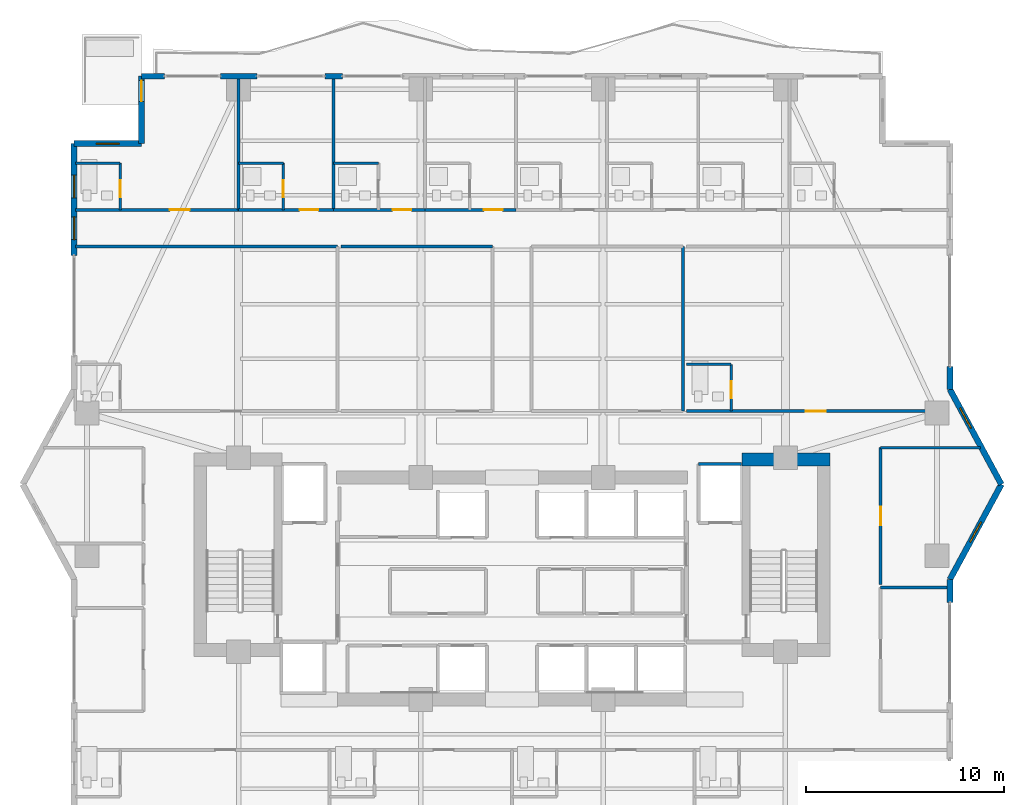
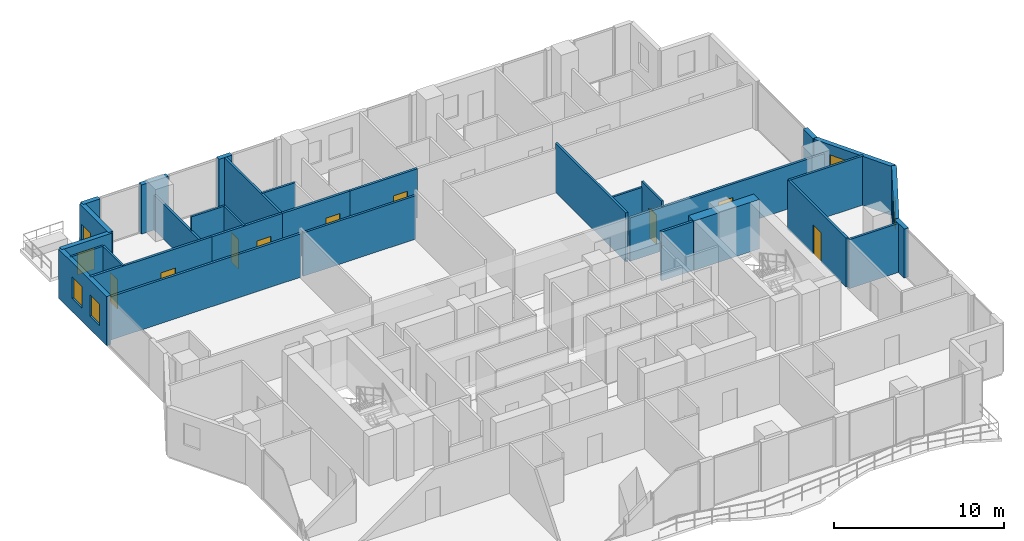
# One storey, part 27 of 33: 32 walls, 10 doors, 5 windows, 15 openings.
"""IFC4 building model written with IfcOpenShell, lengths in metres."""

from ifc_helpers import new_model, si_unit, direction, frame, frame_2d, origin, place, context, subcontext, project, spatial, rectangle, extrude, material, layer, layer_set, type_object, element, fill, save


model = new_model("IFC4")

# Units and contexts
model_context = context("Model", 3, precision=1e-05, world=origin(), true_north=direction((0.0, 1.0)))
body_context = subcontext(model_context, "Body", "Model", "MODEL_VIEW")
ifc_project = project(units=[si_unit("LENGTHUNIT", "METRE"), si_unit("AREAUNIT", "SQUARE_METRE"), si_unit("VOLUMEUNIT", "CUBIC_METRE"), si_unit("PLANEANGLEUNIT", "RADIAN"), si_unit("MASSUNIT", "GRAM", prefix="KILO")], contexts=[model_context])

# Site, building, storey
site_placement = place(None, origin())
site = spatial("IfcSite", under=ifc_project, at=site_placement, CompositionType="ELEMENT")
building_placement = place(site_placement, origin())
building = spatial("IfcBuilding", under=site, at=building_placement, Name="Zuhayl Quay Hotel", CompositionType="ELEMENT")
storey_placement = place(building_placement, frame((0.0, 0.0, 222.39990234375)))
storey = spatial("IfcBuildingStorey", under=building, at=storey_placement, Name="L56", CompositionType="ELEMENT", Elevation=222.39990234375)

# Wall
ifc_material_1 = material(Name="Concrete C50/60", Category="concrete")
ifc_layer_1 = layer(ifc_material_1, 0.64990234375, Name="Concrete C50/60", Category="concrete")
ifc_layer_set_1 = layer_set([ifc_layer_1], Name="Concrete C50/60")
wall_type_1 = type_object("IfcWallType", Name="WL_CORE_650", PredefinedType="SHEAR", material=ifc_layer_set_1)
wall_1_placement = place(storey_placement, frame((11.60009765625, 14.2548828125, 0.0), z_axis=(0.0, 0.0, 1.0), x_axis=(1.0, 0.0, 0.0)))
element("IfcWall", 1, at=wall_1_placement, inside=storey, type_object=wall_type_1, Name="L56 Core Shear Wall CW_NE", PredefinedType="SHEAR", context=body_context, shape_type="SweptSolid", body=[
    extrude(rectangle(XDim=4.4599609375, YDim=0.64990234375, at=frame_2d((2.22998046875, 0.0))), origin(), (0.0, 0.0, 1.0), 3.56005859375),
])

# Wall, openings, windows
ifc_material_2 = material(Name="Precast concrete C45/55", Category="concrete")
ifc_layer_2 = layer(ifc_material_2, 0.300048828125, Name="Precast concrete C45/55", Category="concrete")
ifc_layer_set_2 = layer_set([ifc_layer_2], Name="Precast concrete C45/55")
wall_type_2 = type_object("IfcWallType", Name="WL_EXT_300", PredefinedType="STANDARD", material=ifc_layer_set_2)
wall_2_placement = place(storey_placement, frame((-22.10009765625, 24.550048828125, 0.0), z_axis=(0.0, 0.0, 1.0), x_axis=(0.0, 1.0, 0.0)))
wall_2 = element("IfcWall", 2, at=wall_2_placement, inside=storey, type_object=wall_type_2, Name="L56 Exterior Precast Wall ENV_L56_E05_EW2", PredefinedType="STANDARD", context=body_context, shape_type="SweptSolid", body=[
    extrude(rectangle(XDim=5.64990234375, YDim=0.300048828125, at=frame_2d((2.824951171875, 0.0))), origin(), (0.0, 0.0, 1.0), 3.530029296875),
])
opening_1_placement = place(wall_2_placement, frame((0.800048828125, 0.0, 0.949951171875)))
opening_1 = element("IfcOpeningElement", 3, at=opening_1_placement, cuts=wall_2, Name="Opening W01N", PredefinedType="OPENING", context=body_context, shape_type="SweptSolid", body=[
    extrude(rectangle(XDim=1.14990234375, YDim=1.550048828125, at=frame_2d((0.574951171875, 0.77490234375))), frame((0.0, 0.159912109375, 0.0), z_axis=(0.0, -1.0, 0.0), x_axis=(1.0, 0.0, 0.0)), (0.0, 0.0, 1.0), 0.320068359375),
])
opening_2_placement = place(wall_2_placement, frame((2.905029296875, 0.0, 0.949951171875)))
opening_2 = element("IfcOpeningElement", 4, at=opening_2_placement, cuts=wall_2, Name="Opening W01N", PredefinedType="OPENING", context=body_context, shape_type="SweptSolid", body=[
    extrude(rectangle(XDim=1.14990234375, YDim=1.550048828125, at=frame_2d((0.574951171875, 0.77490234375))), frame((0.0, 0.159912109375, 0.0), z_axis=(0.0, -1.0, 0.0), x_axis=(1.0, 0.0, 0.0)), (0.0, 0.0, 1.0), 0.320068359375),
])
ifc_material_3 = material(Name="Dark Ceramic-Fritted Solar Glass", Category="glass")
window_type = type_object("IfcWindowType", Name="WN_NOTCH_1350", PartitioningType="SINGLE_PANEL", PredefinedType="WINDOW", material=ifc_material_3)
window_1_placement = place(opening_1_placement, origin())
window_1 = element("IfcWindow", 5, at=window_1_placement, inside=storey, type_object=window_type, Name="L56 Operable Facade Window 2-1", OverallHeight=1.550048828125, OverallWidth=1.14990234375, PartitioningType="SINGLE_PANEL", PredefinedType="WINDOW", context=body_context, shape_type="SweptSolid", body=[
    extrude(rectangle(XDim=1.14990234375, YDim=1.550048828125, at=frame_2d((0.574951171875, 0.77490234375))), frame((0.0, 0.030029296875, 0.0), z_axis=(0.0, -1.0, 0.0), x_axis=(1.0, 0.0, 0.0)), (0.0, 0.0, 1.0), 0.06005859375),
])
fill(opening_1, window_1)
window_2_placement = place(opening_2_placement, origin())
window_2 = element("IfcWindow", 6, at=window_2_placement, inside=storey, type_object=window_type, Name="L56 Operable Facade Window 2-2", OverallHeight=1.550048828125, OverallWidth=1.14990234375, PartitioningType="SINGLE_PANEL", PredefinedType="WINDOW", context=body_context, shape_type="SweptSolid", body=[
    extrude(rectangle(XDim=1.14990234375, YDim=1.550048828125, at=frame_2d((0.574951171875, 0.77490234375))), frame((0.0, 0.030029296875, 0.0), z_axis=(0.0, -1.0, 0.0), x_axis=(1.0, 0.0, 0.0)), (0.0, 0.0, 1.0), 0.06005859375),
])
fill(opening_2, window_2)

# Wall, opening, window
wall_3_placement = place(storey_placement, frame((-22.10009765625, 30.199951171875, 0.0), z_axis=(0.0, 0.0, 1.0), x_axis=(1.0, 0.0, 0.0)))
wall_3 = element("IfcWall", 7, at=wall_3_placement, inside=storey, type_object=wall_type_2, Name="L56 Exterior Precast Wall ENV_L56_EW06", PredefinedType="STANDARD", context=body_context, shape_type="SweptSolid", body=[
    extrude(rectangle(XDim=3.400146484375, YDim=0.300048828125, at=frame_2d((1.7001953125, 0.0))), origin(), (0.0, 0.0, 1.0), 3.530029296875),
])
opening_3_placement = place(wall_3_placement, frame((1.125, 0.0, 1.25)))
opening_3 = element("IfcOpeningElement", 8, at=opening_3_placement, cuts=wall_3, Name="Opening W01N", PredefinedType="OPENING", context=body_context, shape_type="SweptSolid", body=[
    extrude(rectangle(XDim=1.14990234375, YDim=1.550048828125, at=frame_2d((0.574951171875, 0.77490234375))), frame((0.0, 0.159912109375, 0.0), z_axis=(0.0, -1.0, 0.0), x_axis=(1.0, 0.0, 0.0)), (0.0, 0.0, 1.0), 0.320068359375),
])
window_3_placement = place(opening_3_placement, origin())
window_3 = element("IfcWindow", 9, at=window_3_placement, inside=storey, type_object=window_type, Name="L56 Corner Notch Window 6", OverallHeight=1.550048828125, OverallWidth=1.14990234375, PartitioningType="SINGLE_PANEL", PredefinedType="WINDOW", context=body_context, shape_type="SweptSolid", body=[
    extrude(rectangle(XDim=1.14990234375, YDim=1.550048828125, at=frame_2d((0.574951171875, 0.77490234375))), frame((0.0, 0.030029296875, 0.0), z_axis=(0.0, -1.0, 0.0), x_axis=(1.0, 0.0, 0.0)), (0.0, 0.0, 1.0), 0.06005859375),
])
fill(opening_3, window_3)

# Wall, opening, door
wall_4_placement = place(storey_placement, frame((-18.699951171875, 30.199951171875, 0.0), z_axis=(0.0, 0.0, 1.0), x_axis=(0.0, 1.0, 0.0)))
wall_4 = element("IfcWall", 10, at=wall_4_placement, inside=storey, type_object=wall_type_2, Name="L56 Exterior Precast Wall ENV_L56_SP_NW", PredefinedType="STANDARD", context=body_context, shape_type="SweptSolid", body=[
    extrude(rectangle(XDim=3.400146484375, YDim=0.300048828125, at=frame_2d((1.7001953125, 0.0))), origin(), (0.0, 0.0, 1.0), 3.530029296875),
])
opening_4_placement = place(wall_4_placement, frame((2.1298828125, 0.0, 0.0)))
opening_4 = element("IfcOpeningElement", 11, at=opening_4_placement, cuts=wall_4, Name="Opening DG1", PredefinedType="OPENING", context=body_context, shape_type="SweptSolid", body=[
    extrude(rectangle(XDim=1.050048828125, YDim=2.199951171875, at=frame_2d((0.52490234375, 1.10009765625))), frame((0.0, 0.159912109375, 0.0), z_axis=(0.0, -1.0, 0.0), x_axis=(1.0, 0.0, 0.0)), (0.0, 0.0, 1.0), 0.320068359375),
])
ifc_material_4 = material(Name="Anodised Aluminium and Dark Solar Glass", Category="aluminium")
door_type_1 = type_object("IfcDoorType", Name="DR_EXT_TERR_1050", OperationType="NOTDEFINED", PredefinedType="DOOR", material=ifc_material_4)
door_1_placement = place(opening_4_placement, origin())
door_1 = element("IfcDoor", 12, at=door_1_placement, inside=storey, type_object=door_type_1, Name="L56 Spiral Sky-Terrace NW Access Door", OperationType="SINGLE_SWING_LEFT", OverallHeight=2.199951171875, OverallWidth=1.050048828125, PredefinedType="DOOR", context=body_context, shape_type="SweptSolid", body=[
    extrude(rectangle(XDim=1.050048828125, YDim=2.199951171875, at=frame_2d((0.52490234375, 1.10009765625))), frame((0.0, 0.02490234375, 0.0), z_axis=(0.0, -1.0, 0.0), x_axis=(1.0, 0.0, 0.0)), (0.0, 0.0, 1.0), 0.050048828125),
])
fill(opening_4, door_1)

# Walls
wall_5_placement = place(storey_placement, frame((-18.699951171875, 33.60009765625, 0.0), z_axis=(0.0, 0.0, 1.0), x_axis=(1.0, 0.0, 0.0)))
element("IfcWall", 13, at=wall_5_placement, inside=storey, type_object=wall_type_2, Name="L56 Exterior Precast Wall ENV_L56_N_EW1", PredefinedType="STANDARD", context=body_context, shape_type="SweptSolid", body=[
    extrude(rectangle(XDim=1.14990234375, YDim=0.300048828125, at=frame_2d((0.574951171875, 0.0))), origin(), (0.0, 0.0, 1.0), 3.530029296875),
])
wall_6_placement = place(storey_placement, frame((-14.719970703125, 33.60009765625, 0.0), z_axis=(0.0, 0.0, 1.0), x_axis=(1.0, 0.0, 0.0)))
element("IfcWall", 14, at=wall_6_placement, inside=storey, type_object=wall_type_2, Name="L56 Exterior Precast Wall ENV_L56_N_EW2", PredefinedType="STANDARD", context=body_context, shape_type="SweptSolid", body=[
    extrude(rectangle(XDim=1.840087890625, YDim=0.300048828125, at=frame_2d((0.919921875, 0.0))), origin(), (0.0, 0.0, 1.0), 3.530029296875),
])
wall_7_placement = place(storey_placement, frame((-9.449951171875, 33.60009765625, 0.0), z_axis=(0.0, 0.0, 1.0), x_axis=(1.0, 0.0, 0.0)))
element("IfcWall", 15, at=wall_7_placement, inside=storey, type_object=wall_type_2, Name="L56 Exterior Precast Wall ENV_L56_N_EW3", PredefinedType="STANDARD", context=body_context, shape_type="SweptSolid", body=[
    extrude(rectangle(XDim=0.89990234375, YDim=0.300048828125, at=frame_2d((0.449951171875, 0.0))), origin(), (0.0, 0.0, 1.0), 3.530029296875),
])
wall_8_placement = place(storey_placement, frame((22.10009765625, 18.949951171875, 0.0), z_axis=(0.0, 0.0, 1.0), x_axis=(0.0, -1.0, 0.0)))
element("IfcWall", 16, at=wall_8_placement, inside=storey, type_object=wall_type_2, Name="L56 Exterior Precast Wall ENV_L56_E11_EW2", PredefinedType="STANDARD", context=body_context, shape_type="SweptSolid", body=[
    extrude(rectangle(XDim=1.14990234375, YDim=0.300048828125, at=frame_2d((0.574951171875, 0.0))), origin(), (0.0, 0.0, 1.0), 3.530029296875),
])

# Wall, opening, window
wall_9_placement = place(storey_placement, frame((22.10009765625, 17.800048828125, 0.0), z_axis=(0.0, 0.0, 1.0), x_axis=(0.476258655584, -0.879305233114, 0.0)))
wall_9 = element("IfcWall", 17, at=wall_9_placement, inside=storey, type_object=wall_type_2, Name="L56 Exterior Precast Wall ENV_L56_EW12", PredefinedType="STANDARD", context=body_context, shape_type="SweptSolid", body=[
    extrude(rectangle(XDim=5.458984375, YDim=0.300048828125, at=frame_2d((2.7294921875, 0.0))), origin(), (0.0, 0.0, 1.0), 3.530029296875),
])
opening_5_placement = place(wall_9_placement, frame((1.078125, 0.0, 1.25)))
opening_5 = element("IfcOpeningElement", 18, at=opening_5_placement, cuts=wall_9, Name="Opening W01N", PredefinedType="OPENING", context=body_context, shape_type="SweptSolid", body=[
    extrude(rectangle(XDim=1.14990234375, YDim=1.550048828125, at=frame_2d((0.574951171875, 0.77490234375))), frame((0.0, 0.159912109375, 0.0), z_axis=(0.0, -1.0, 0.0), x_axis=(1.0, 0.0, 0.0)), (0.0, 0.0, 1.0), 0.320068359375),
])
window_4_placement = place(opening_5_placement, origin())
window_4 = element("IfcWindow", 19, at=window_4_placement, inside=storey, type_object=window_type, Name="L56 Corner Notch Window 12", OverallHeight=1.550048828125, OverallWidth=1.14990234375, PartitioningType="SINGLE_PANEL", PredefinedType="WINDOW", context=body_context, shape_type="SweptSolid", body=[
    extrude(rectangle(XDim=1.14990234375, YDim=1.550048828125, at=frame_2d((0.574951171875, 0.77490234375))), frame((0.0, 0.030029296875, 0.0), z_axis=(0.0, -1.0, 0.0), x_axis=(1.0, 0.0, 0.0)), (0.0, 0.0, 1.0), 0.06005859375),
])
fill(opening_5, window_4)

wall_10_placement = place(storey_placement, frame((24.699951171875, 13.0, 0.0), z_axis=(0.0, 0.0, 1.0), x_axis=(-0.476258655584, -0.879305233114, 0.0)))
wall_10 = element("IfcWall", 20, at=wall_10_placement, inside=storey, type_object=wall_type_2, Name="L56 Exterior Precast Wall ENV_L56_EW13", PredefinedType="STANDARD", context=body_context, shape_type="SweptSolid", body=[
    extrude(rectangle(XDim=5.458984375, YDim=0.300048828125, at=frame_2d((2.7294921875, 0.0))), origin(), (0.0, 0.0, 1.0), 3.530029296875),
])
opening_6_placement = place(wall_10_placement, frame((2.154541015625, 0.0, 1.25)))
opening_6 = element("IfcOpeningElement", 21, at=opening_6_placement, cuts=wall_10, Name="Opening W01N", PredefinedType="OPENING", context=body_context, shape_type="SweptSolid", body=[
    extrude(rectangle(XDim=1.14990234375, YDim=1.550048828125, at=frame_2d((0.574951171875, 0.77490234375))), frame((0.0, 0.159912109375, 0.0), z_axis=(0.0, -1.0, 0.0), x_axis=(1.0, 0.0, 0.0)), (0.0, 0.0, 1.0), 0.320068359375),
])
window_5_placement = place(opening_6_placement, origin())
window_5 = element("IfcWindow", 22, at=window_5_placement, inside=storey, type_object=window_type, Name="L56 Corner Notch Window 13", OverallHeight=1.550048828125, OverallWidth=1.14990234375, PartitioningType="SINGLE_PANEL", PredefinedType="WINDOW", context=body_context, shape_type="SweptSolid", body=[
    extrude(rectangle(XDim=1.14990234375, YDim=1.550048828125, at=frame_2d((0.574951171875, 0.77490234375))), frame((0.0, 0.030029296875, 0.0), z_axis=(0.0, -1.0, 0.0), x_axis=(1.0, 0.0, 0.0)), (0.0, 0.0, 1.0), 0.06005859375),
])
fill(opening_6, window_5)

# Walls
wall_11_placement = place(storey_placement, frame((22.10009765625, 8.199951171875, 0.0), z_axis=(0.0, 0.0, 1.0), x_axis=(0.0, -1.0, 0.0)))
element("IfcWall", 23, at=wall_11_placement, inside=storey, type_object=wall_type_2, Name="L56 Exterior Precast Wall ENV_L56_E14_EW1", PredefinedType="STANDARD", context=body_context, shape_type="SweptSolid", body=[
    extrude(rectangle(XDim=1.14990234375, YDim=0.300048828125, at=frame_2d((0.574951171875, 0.0))), origin(), (0.0, 0.0, 1.0), 3.530029296875),
])
ifc_material_5 = material(Name="Acoustic Gypsum Partition STC-58")
ifc_layer_3 = layer(ifc_material_5, 0.14990234375, Name="Acoustic Gypsum Partition STC-58")
ifc_layer_set_3 = layer_set([ifc_layer_3], Name="Acoustic Gypsum Partition STC-58")
wall_type_3 = type_object("IfcWallType", Name="WL_PART_150", PredefinedType="PARTITIONING", material=ifc_layer_set_3)
wall_12_placement = place(storey_placement, frame((-13.800048828125, 26.85009765625, 0.0), z_axis=(0.0, 0.0, 1.0), x_axis=(0.0, 1.0, 0.0)))
element("IfcWall", 24, at=wall_12_placement, inside=storey, type_object=wall_type_3, Name="L56 Partition IW_L56_NU01_E", PredefinedType="PARTITIONING", context=body_context, shape_type="SweptSolid", body=[
    extrude(rectangle(XDim=6.669921875, YDim=0.14990234375, at=frame_2d((3.3349609375, 0.0))), origin(), (0.0, 0.0, 1.0), 2.51904296875),
])
wall_13_placement = place(storey_placement, frame((-9.0, 26.85009765625, 0.0), z_axis=(0.0, 0.0, 1.0), x_axis=(0.0, 1.0, 0.0)))
element("IfcWall", 25, at=wall_13_placement, inside=storey, type_object=wall_type_3, Name="L56 Partition IW_L56_NU02_E", PredefinedType="PARTITIONING", context=body_context, shape_type="SweptSolid", body=[
    extrude(rectangle(XDim=6.669921875, YDim=0.14990234375, at=frame_2d((3.3349609375, 0.0))), origin(), (0.0, 0.0, 1.0), 3.530029296875),
])
wall_14_placement = place(storey_placement, frame((-8.639892578125, 25.0, 0.0), z_axis=(0.0, 0.0, 1.0), x_axis=(1.0, 0.0, 0.0)))
element("IfcWall", 26, at=wall_14_placement, inside=storey, type_object=wall_type_3, Name="L56 Partition IW_L56_Z3_MID_W_N", PredefinedType="PARTITIONING", context=body_context, shape_type="SweptSolid", body=[
    extrude(rectangle(XDim=7.659912109375, YDim=0.14990234375, at=frame_2d((3.830078125, 0.0))), origin(), (0.0, 0.0, 1.0), 3.1240234375),
])
wall_15_placement = place(storey_placement, frame((8.639892578125, 16.699951171875, 0.0), z_axis=(0.0, 0.0, 1.0), x_axis=(0.0, 1.0, 0.0)))
element("IfcWall", 27, at=wall_15_placement, inside=storey, type_object=wall_type_3, Name="L56 Partition IW_L56_Z3_MID_E_E", PredefinedType="PARTITIONING", context=body_context, shape_type="SweptSolid", body=[
    extrude(rectangle(XDim=8.300048828125, YDim=0.14990234375, at=frame_2d((4.14990234375, 0.0))), origin(), (0.0, 0.0, 1.0), 3.530029296875),
])
wall_16_placement = place(storey_placement, frame((18.60009765625, 7.800048828125, 0.0), z_axis=(0.0, 0.0, 1.0), x_axis=(1.0, 0.0, 0.0)))
element("IfcWall", 28, at=wall_16_placement, inside=storey, type_object=wall_type_3, Name="L56 Partition IW_L56_HK_MAIN_N", PredefinedType="PARTITIONING", context=body_context, shape_type="SweptSolid", body=[
    extrude(rectangle(XDim=3.43994140625, YDim=0.14990234375, at=frame_2d((1.719970703125, 0.0))), origin(), (0.0, 0.0, 1.0), 3.530029296875),
])
wall_17_placement = place(storey_placement, frame((18.60009765625, 14.85009765625, 0.0), z_axis=(0.0, 0.0, 1.0), x_axis=(1.0, 0.0, 0.0)))
element("IfcWall", 29, at=wall_17_placement, inside=storey, type_object=wall_type_3, Name="L56 Partition IW_L56_EFLK_2_N", PredefinedType="PARTITIONING", context=body_context, shape_type="SweptSolid", body=[
    extrude(rectangle(XDim=5.037841796875, YDim=0.14990234375, at=frame_2d((2.51904296875, 0.0))), origin(), (0.0, 0.0, 1.0), 3.530029296875),
])

# Wall, opening, door
ifc_layer_4 = layer(ifc_material_5, 0.159912109375, Name="Acoustic Gypsum Partition STC-58")
ifc_layer_set_4 = layer_set([ifc_layer_4], Name="Acoustic Gypsum Partition STC-58")
wall_type_4 = type_object("IfcWallType", Name="WL_PART_CORR_160", PredefinedType="PARTITIONING", material=ifc_layer_set_4)
wall_18_placement = place(storey_placement, frame((-22.0400390625, 26.85009765625, 0.0), z_axis=(0.0, 0.0, 1.0), x_axis=(1.0, 0.0, 0.0)))
wall_18 = element("IfcWall", 30, at=wall_18_placement, inside=storey, type_object=wall_type_4, Name="L56 Partition IW_L56_NU01_COR", PredefinedType="PARTITIONING", context=body_context, shape_type="SweptSolid", body=[
    extrude(rectangle(XDim=8.239990234375, YDim=0.159912109375, at=frame_2d((4.1201171875, 0.0))), origin(), (0.0, 0.0, 1.0), 3.530029296875),
])
opening_7_placement = place(wall_18_placement, frame((4.77001953125, 0.0, 0.0)))
opening_7 = element("IfcOpeningElement", 31, at=opening_7_placement, cuts=wall_18, Name="Opening D03L", PredefinedType="OPENING", context=body_context, shape_type="SweptSolid", body=[
    extrude(rectangle(XDim=1.0, YDim=2.14990234375, at=frame_2d((0.5, 1.074951171875))), frame((0.0, 0.08984375, 0.0), z_axis=(0.0, -1.0, 0.0), x_axis=(1.0, 0.0, 0.0)), (0.0, 0.0, 1.0), 0.179931640625),
])
ifc_material_6 = material(Name="Solid Walnut Acoustic Fire Door")
door_type_2 = type_object("IfcDoorType", Name="DR_SUITE_1000", OperationType="NOTDEFINED", PredefinedType="DOOR", material=ifc_material_6)
door_2_placement = place(opening_7_placement, origin())
door_2 = element("IfcDoor", 32, at=door_2_placement, inside=storey, type_object=door_type_2, Name="L56 Panoramic Gulf Guest Room L56-01 Entrance Door", OperationType="SINGLE_SWING_LEFT", OverallHeight=2.14990234375, OverallWidth=1.0, PredefinedType="DOOR", context=body_context, shape_type="SweptSolid", body=[
    extrude(rectangle(XDim=1.0, YDim=2.14990234375, at=frame_2d((0.5, 1.074951171875))), frame((0.0, 0.02490234375, 0.0), z_axis=(0.0, -1.0, 0.0), x_axis=(1.0, 0.0, 0.0)), (0.0, 0.0, 1.0), 0.050048828125),
])
fill(opening_7, door_2)

wall_19_placement = place(storey_placement, frame((-13.800048828125, 26.85009765625, 0.0), z_axis=(0.0, 0.0, 1.0), x_axis=(1.0, 0.0, 0.0)))
wall_19 = element("IfcWall", 33, at=wall_19_placement, inside=storey, type_object=wall_type_4, Name="L56 Partition IW_L56_NU02_COR", PredefinedType="PARTITIONING", context=body_context, shape_type="SweptSolid", body=[
    extrude(rectangle(XDim=4.800048828125, YDim=0.159912109375, at=frame_2d((2.39990234375, 0.0))), origin(), (0.0, 0.0, 1.0), 3.530029296875),
])
opening_8_placement = place(wall_19_placement, frame((3.074951171875, 0.0, 0.0)))
opening_8 = element("IfcOpeningElement", 34, at=opening_8_placement, cuts=wall_19, Name="Opening D03", PredefinedType="OPENING", context=body_context, shape_type="SweptSolid", body=[
    extrude(rectangle(XDim=0.949951171875, YDim=2.14990234375, at=frame_2d((0.47509765625, 1.074951171875))), frame((0.0, 0.08984375, 0.0), z_axis=(0.0, -1.0, 0.0), x_axis=(1.0, 0.0, 0.0)), (0.0, 0.0, 1.0), 0.179931640625),
])
door_type_3 = type_object("IfcDoorType", Name="DR_SUITE_950", OperationType="NOTDEFINED", PredefinedType="DOOR", material=ifc_material_6)
door_3_placement = place(opening_8_placement, origin())
door_3 = element("IfcDoor", 35, at=door_3_placement, inside=storey, type_object=door_type_3, Name="L56 Panoramic Gulf Guest Room L56-02 Entrance Door", OperationType="SINGLE_SWING_LEFT", OverallHeight=2.14990234375, OverallWidth=0.949951171875, PredefinedType="DOOR", context=body_context, shape_type="SweptSolid", body=[
    extrude(rectangle(XDim=0.949951171875, YDim=2.14990234375, at=frame_2d((0.47509765625, 1.074951171875))), frame((0.0, 0.02490234375, 0.0), z_axis=(0.0, -1.0, 0.0), x_axis=(1.0, 0.0, 0.0)), (0.0, 0.0, 1.0), 0.050048828125),
])
fill(opening_8, door_3)

wall_20_placement = place(storey_placement, frame((-9.0, 26.85009765625, 0.0), z_axis=(0.0, 0.0, 1.0), x_axis=(1.0, 0.0, 0.0)))
wall_20 = element("IfcWall", 36, at=wall_20_placement, inside=storey, type_object=wall_type_4, Name="L56 Partition IW_L56_NU03_COR", PredefinedType="PARTITIONING", context=body_context, shape_type="SweptSolid", body=[
    extrude(rectangle(XDim=4.60009765625, YDim=0.159912109375, at=frame_2d((2.300048828125, 0.0))), origin(), (0.0, 0.0, 1.0), 3.530029296875),
])
opening_9_placement = place(wall_20_placement, frame((2.97509765625, 0.0, 0.0)))
opening_9 = element("IfcOpeningElement", 37, at=opening_9_placement, cuts=wall_20, Name="Opening D03", PredefinedType="OPENING", context=body_context, shape_type="SweptSolid", body=[
    extrude(rectangle(XDim=0.949951171875, YDim=2.14990234375, at=frame_2d((0.47509765625, 1.074951171875))), frame((0.0, 0.08984375, 0.0), z_axis=(0.0, -1.0, 0.0), x_axis=(1.0, 0.0, 0.0)), (0.0, 0.0, 1.0), 0.179931640625),
])
door_4_placement = place(opening_9_placement, origin())
door_4 = element("IfcDoor", 38, at=door_4_placement, inside=storey, type_object=door_type_3, Name="L56 Panoramic Gulf Guest Room L56-03 Entrance Door", OperationType="SINGLE_SWING_LEFT", OverallHeight=2.14990234375, OverallWidth=0.949951171875, PredefinedType="DOOR", context=body_context, shape_type="SweptSolid", body=[
    extrude(rectangle(XDim=0.949951171875, YDim=2.14990234375, at=frame_2d((0.47509765625, 1.074951171875))), frame((0.0, 0.02490234375, 0.0), z_axis=(0.0, -1.0, 0.0), x_axis=(1.0, 0.0, 0.0)), (0.0, 0.0, 1.0), 0.050048828125),
])
fill(opening_9, door_4)

wall_21_placement = place(storey_placement, frame((-4.39990234375, 26.85009765625, 0.0), z_axis=(0.0, 0.0, 1.0), x_axis=(1.0, 0.0, 0.0)))
wall_21 = element("IfcWall", 39, at=wall_21_placement, inside=storey, type_object=wall_type_4, Name="L56 Partition IW_L56_NU04_COR", PredefinedType="PARTITIONING", context=body_context, shape_type="SweptSolid", body=[
    extrude(rectangle(XDim=4.599853515625, YDim=0.159912109375, at=frame_2d((2.2998046875, 0.0))), origin(), (0.0, 0.0, 1.0), 3.530029296875),
])
opening_10_placement = place(wall_21_placement, frame((2.97509765625, 0.0, 0.0)))
opening_10 = element("IfcOpeningElement", 40, at=opening_10_placement, cuts=wall_21, Name="Opening D03", PredefinedType="OPENING", context=body_context, shape_type="SweptSolid", body=[
    extrude(rectangle(XDim=0.949951171875, YDim=2.14990234375, at=frame_2d((0.47509765625, 1.074951171875))), frame((0.0, 0.08984375, 0.0), z_axis=(0.0, -1.0, 0.0), x_axis=(1.0, 0.0, 0.0)), (0.0, 0.0, 1.0), 0.179931640625),
])
door_5_placement = place(opening_10_placement, origin())
door_5 = element("IfcDoor", 41, at=door_5_placement, inside=storey, type_object=door_type_3, Name="L56 Panoramic Gulf Guest Room L56-04 Entrance Door", OperationType="SINGLE_SWING_LEFT", OverallHeight=2.14990234375, OverallWidth=0.949951171875, PredefinedType="DOOR", context=body_context, shape_type="SweptSolid", body=[
    extrude(rectangle(XDim=0.949951171875, YDim=2.14990234375, at=frame_2d((0.47509765625, 1.074951171875))), frame((0.0, 0.02490234375, 0.0), z_axis=(0.0, -1.0, 0.0), x_axis=(1.0, 0.0, 0.0)), (0.0, 0.0, 1.0), 0.050048828125),
])
fill(opening_10, door_5)

wall_22_placement = place(storey_placement, frame((8.800048828125, 16.699951171875, 0.0), z_axis=(0.0, 0.0, 1.0), x_axis=(1.0, 0.0, 0.0)))
wall_22 = element("IfcWall", 42, at=wall_22_placement, inside=storey, type_object=wall_type_4, Name="L56 Partition IW_L56_MU04_COR", PredefinedType="PARTITIONING", context=body_context, shape_type="SweptSolid", body=[
    extrude(rectangle(XDim=13.239990234375, YDim=0.159912109375, at=frame_2d((6.6201171875, 0.0))), origin(), (0.0, 0.0, 1.0), 3.1240234375),
])
opening_11_placement = place(wall_22_placement, frame((6.02490234375, 0.0, 0.0)))
opening_11 = element("IfcOpeningElement", 43, at=opening_11_placement, cuts=wall_22, Name="Opening D03L", PredefinedType="OPENING", context=body_context, shape_type="SweptSolid", body=[
    extrude(rectangle(XDim=1.0, YDim=2.14990234375, at=frame_2d((0.5, 1.074951171875))), frame((0.0, 0.08984375, 0.0), z_axis=(0.0, -1.0, 0.0), x_axis=(1.0, 0.0, 0.0)), (0.0, 0.0, 1.0), 0.179931640625),
])
door_6_placement = place(opening_11_placement, origin())
door_6 = element("IfcDoor", 44, at=door_6_placement, inside=storey, type_object=door_type_2, Name="L56 Club Junior Suite L56-M4 Entrance Door", OperationType="SINGLE_SWING_LEFT", OverallHeight=2.14990234375, OverallWidth=1.0, PredefinedType="DOOR", context=body_context, shape_type="SweptSolid", body=[
    extrude(rectangle(XDim=1.0, YDim=2.14990234375, at=frame_2d((0.5, 1.074951171875))), frame((0.0, 0.02490234375, 0.0), z_axis=(0.0, -1.0, 0.0), x_axis=(1.0, 0.0, 0.0)), (0.0, 0.0, 1.0), 0.050048828125),
])
fill(opening_11, door_6)

wall_23_placement = place(storey_placement, frame((18.60009765625, 7.9599609375, 0.0), z_axis=(0.0, 0.0, 1.0), x_axis=(0.0, 1.0, 0.0)))
wall_23 = element("IfcWall", 45, at=wall_23_placement, inside=storey, type_object=wall_type_4, Name="L56 Partition IW_L56_EFLK_2_W", PredefinedType="PARTITIONING", context=body_context, shape_type="SweptSolid", body=[
    extrude(rectangle(XDim=6.89013671875, YDim=0.159912109375, at=frame_2d((3.445068359375, 0.0))), origin(), (0.0, 0.0, 1.0), 3.530029296875),
])
opening_12_placement = place(wall_23_placement, frame((2.985107421875, 0.0, 0.0)))
opening_12 = element("IfcOpeningElement", 46, at=opening_12_placement, cuts=wall_23, Name="Opening D05", PredefinedType="OPENING", context=body_context, shape_type="SweptSolid", body=[
    extrude(rectangle(XDim=0.919921875, YDim=2.1201171875, at=frame_2d((0.4599609375, 1.06005859375))), frame((0.0, 0.08984375, 0.0), z_axis=(0.0, -1.0, 0.0), x_axis=(1.0, 0.0, 0.0)), (0.0, 0.0, 1.0), 0.179931640625),
])
door_type_4 = type_object("IfcDoorType", Name="DR_INT_950", OperationType="NOTDEFINED", PredefinedType="DOOR", material=ifc_material_6)
door_7_placement = place(opening_12_placement, origin())
door_7 = element("IfcDoor", 47, at=door_7_placement, inside=storey, type_object=door_type_4, Name="L56 Floor Beverage and Ice Pantry Door", OperationType="SINGLE_SWING_LEFT", OverallHeight=2.1201171875, OverallWidth=0.919921875, PredefinedType="DOOR", context=body_context, shape_type="SweptSolid", body=[
    extrude(rectangle(XDim=0.919921875, YDim=2.1201171875, at=frame_2d((0.4599609375, 1.06005859375))), frame((0.0, 0.02490234375, 0.0), z_axis=(0.0, -1.0, 0.0), x_axis=(1.0, 0.0, 0.0)), (0.0, 0.0, 1.0), 0.050048828125),
])
fill(opening_12, door_7)

# Wall
wall_24_placement = place(storey_placement, frame((-22.0400390625, 25.0, 0.0), z_axis=(0.0, 0.0, 1.0), x_axis=(1.0, 0.0, 0.0)))
element("IfcWall", 48, at=wall_24_placement, inside=storey, type_object=wall_type_4, Name="L56 Partition IW_L56_MU01_BK", PredefinedType="PARTITIONING", context=body_context, shape_type="SweptSolid", body=[
    extrude(rectangle(XDim=13.239990234375, YDim=0.159912109375, at=frame_2d((6.6201171875, 0.0))), origin(), (0.0, 0.0, 1.0), 3.1240234375),
])

# Wall, opening, door
ifc_material_7 = material(Name="Moisture-Resistant Sanitarychase Gypsum")
ifc_layer_5 = layer(ifc_material_7, 0.135009765625, Name="Moisture-Resistant Sanitarychase Gypsum")
ifc_layer_set_5 = layer_set([ifc_layer_5], Name="Moisture-Resistant Sanitarychase Gypsum")
wall_type_5 = type_object("IfcWallType", Name="WL_PART_PLUMB_150", PredefinedType="PLUMBINGWALL", material=ifc_layer_set_5)
wall_25_placement = place(storey_placement, frame((-19.780029296875, 26.85009765625, 0.0), z_axis=(0.0, 0.0, 1.0), x_axis=(0.0, 1.0, 0.0)))
wall_25 = element("IfcWall", 49, at=wall_25_placement, inside=storey, type_object=wall_type_5, Name="L56 Partition IW_L56_NU01_BE", PredefinedType="PLUMBINGWALL", context=body_context, shape_type="SweptSolid", body=[
    extrude(rectangle(XDim=2.35986328125, YDim=0.135009765625, at=frame_2d((1.179931640625, 0.0))), origin(), (0.0, 0.0, 1.0), 3.530029296875),
])
opening_13_placement = place(wall_25_placement, frame((0.64990234375, 0.0, 0.0)))
opening_13 = element("IfcOpeningElement", 50, at=opening_13_placement, cuts=wall_25, Name="Opening D04", PredefinedType="OPENING", context=body_context, shape_type="SweptSolid", body=[
    extrude(rectangle(XDim=0.85009765625, YDim=2.10009765625, at=frame_2d((0.425048828125, 1.050048828125))), frame((0.0, 0.077392578125, 0.0), z_axis=(0.0, -1.0, 0.0), x_axis=(1.0, 0.0, 0.0)), (0.0, 0.0, 1.0), 0.155029296875),
])
ifc_material_8 = material(Name="Moisture-Resistant Walnut Veneer")
door_type_5 = type_object("IfcDoorType", Name="DR_BATH_850", OperationType="NOTDEFINED", PredefinedType="DOOR", material=ifc_material_8)
door_8_placement = place(opening_13_placement, origin())
door_8 = element("IfcDoor", 51, at=door_8_placement, inside=storey, type_object=door_type_5, Name="L56 Panoramic Gulf Guest Room L56-01 En-Suite Door", OperationType="SINGLE_SWING_RIGHT", OverallHeight=2.10009765625, OverallWidth=0.85009765625, PredefinedType="DOOR", context=body_context, shape_type="SweptSolid", body=[
    extrude(rectangle(XDim=0.85009765625, YDim=2.10009765625, at=frame_2d((0.425048828125, 1.050048828125))), frame((0.0, 0.02490234375, 0.0), z_axis=(0.0, -1.0, 0.0), x_axis=(1.0, 0.0, 0.0)), (0.0, 0.0, 1.0), 0.050048828125),
])
fill(opening_13, door_8)

wall_26_placement = place(storey_placement, frame((-11.5400390625, 26.85009765625, 0.0), z_axis=(0.0, 0.0, 1.0), x_axis=(0.0, 1.0, 0.0)))
wall_26 = element("IfcWall", 52, at=wall_26_placement, inside=storey, type_object=wall_type_5, Name="L56 Partition IW_L56_NU02_BE", PredefinedType="PLUMBINGWALL", context=body_context, shape_type="SweptSolid", body=[
    extrude(rectangle(XDim=2.35986328125, YDim=0.135009765625, at=frame_2d((1.179931640625, 0.0))), origin(), (0.0, 0.0, 1.0), 3.530029296875),
])
opening_14_placement = place(wall_26_placement, frame((0.64990234375, 0.0, 0.0)))
opening_14 = element("IfcOpeningElement", 53, at=opening_14_placement, cuts=wall_26, Name="Opening D04", PredefinedType="OPENING", context=body_context, shape_type="SweptSolid", body=[
    extrude(rectangle(XDim=0.85009765625, YDim=2.10009765625, at=frame_2d((0.425048828125, 1.050048828125))), frame((0.0, 0.077392578125, 0.0), z_axis=(0.0, -1.0, 0.0), x_axis=(1.0, 0.0, 0.0)), (0.0, 0.0, 1.0), 0.155029296875),
])
door_9_placement = place(opening_14_placement, origin())
door_9 = element("IfcDoor", 54, at=door_9_placement, inside=storey, type_object=door_type_5, Name="L56 Panoramic Gulf Guest Room L56-02 En-Suite Door", OperationType="SINGLE_SWING_RIGHT", OverallHeight=2.10009765625, OverallWidth=0.85009765625, PredefinedType="DOOR", context=body_context, shape_type="SweptSolid", body=[
    extrude(rectangle(XDim=0.85009765625, YDim=2.10009765625, at=frame_2d((0.425048828125, 1.050048828125))), frame((0.0, 0.02490234375, 0.0), z_axis=(0.0, -1.0, 0.0), x_axis=(1.0, 0.0, 0.0)), (0.0, 0.0, 1.0), 0.050048828125),
])
fill(opening_14, door_9)

wall_27_placement = place(storey_placement, frame((11.06005859375, 16.699951171875, 0.0), z_axis=(0.0, 0.0, 1.0), x_axis=(0.0, 1.0, 0.0)))
wall_27 = element("IfcWall", 55, at=wall_27_placement, inside=storey, type_object=wall_type_5, Name="L56 Partition IW_L56_MU04_BE", PredefinedType="PLUMBINGWALL", context=body_context, shape_type="SweptSolid", body=[
    extrude(rectangle(XDim=2.360107421875, YDim=0.135009765625, at=frame_2d((1.18017578125, 0.0))), origin(), (0.0, 0.0, 1.0), 3.530029296875),
])
opening_15_placement = place(wall_27_placement, frame((0.64990234375, 0.0, 0.0)))
opening_15 = element("IfcOpeningElement", 56, at=opening_15_placement, cuts=wall_27, Name="Opening D04", PredefinedType="OPENING", context=body_context, shape_type="SweptSolid", body=[
    extrude(rectangle(XDim=0.85009765625, YDim=2.10009765625, at=frame_2d((0.425048828125, 1.050048828125))), frame((0.0, 0.077392578125, 0.0), z_axis=(0.0, -1.0, 0.0), x_axis=(1.0, 0.0, 0.0)), (0.0, 0.0, 1.0), 0.155029296875),
])
door_10_placement = place(opening_15_placement, origin())
door_10 = element("IfcDoor", 57, at=door_10_placement, inside=storey, type_object=door_type_5, Name="L56 Club Junior Suite L56-M4 En-Suite Door", OperationType="SINGLE_SWING_RIGHT", OverallHeight=2.10009765625, OverallWidth=0.85009765625, PredefinedType="DOOR", context=body_context, shape_type="SweptSolid", body=[
    extrude(rectangle(XDim=0.85009765625, YDim=2.10009765625, at=frame_2d((0.425048828125, 1.050048828125))), frame((0.0, 0.02490234375, 0.0), z_axis=(0.0, -1.0, 0.0), x_axis=(1.0, 0.0, 0.0)), (0.0, 0.0, 1.0), 0.050048828125),
])
fill(opening_15, door_10)

# Walls
for number, where, z_axis, x_axis, name in (
    (58, (-22.0400390625, 29.2099609375, 0.0), (0.0, 0.0, 1.0), (1.0, 0.0, 0.0), "L56 Partition IW_L56_NU01_BN"),
    (59, (-13.800048828125, 29.2099609375, 0.0), (0.0, 0.0, 1.0), (1.0, 0.0, 0.0), "L56 Partition IW_L56_NU02_BN"),
    (60, (-9.0, 29.2099609375, 0.0), (0.0, 0.0, 1.0), (1.0, 0.0, 0.0), "L56 Partition IW_L56_NU03_BN"),
):
    element("IfcWall", number, at=place(storey_placement, frame(where, z_axis=z_axis, x_axis=x_axis)), inside=storey, type_object=wall_type_5, Name=name, PredefinedType="PLUMBINGWALL", context=body_context, shape_type="SweptSolid", body=[
        extrude(rectangle(XDim=2.260009765625, YDim=0.135009765625, at=frame_2d((1.1298828125, 0.0))), origin(), (0.0, 0.0, 1.0), 3.530029296875),
    ])
wall_28_placement = place(storey_placement, frame((8.800048828125, 19.06005859375, 0.0), z_axis=(0.0, 0.0, 1.0), x_axis=(1.0, 0.0, 0.0)))
element("IfcWall", 61, at=wall_28_placement, inside=storey, type_object=wall_type_5, Name="L56 Partition IW_L56_MU04_BN", PredefinedType="PLUMBINGWALL", context=body_context, shape_type="SweptSolid", body=[
    extrude(rectangle(XDim=2.260009765625, YDim=0.135009765625, at=frame_2d((1.1298828125, 0.0))), origin(), (0.0, 0.0, 1.0), 3.1240234375),
])
ifc_material_9 = material(Name="Gypsum Fireboard Assembly EI-90")
ifc_layer_6 = layer(ifc_material_9, 0.1650390625, Name="Gypsum Fireboard Assembly EI-90")
ifc_layer_set_6 = layer_set([ifc_layer_6], Name="Gypsum Fireboard Assembly EI-90")
wall_type_6 = type_object("IfcWallType", Name="WL_PART_SHAFT_160", PredefinedType="PARTITIONING", material=ifc_layer_set_6)
wall_29_placement = place(storey_placement, frame((9.419921875, 14.030029296875, 0.0), z_axis=(0.0, 0.0, 1.0), x_axis=(1.0, 0.0, 0.0)))
element("IfcWall", 62, at=wall_29_placement, inside=storey, type_object=wall_type_6, Name="L56 Partition IW_L56_SH_FL2_B", PredefinedType="PARTITIONING", context=body_context, shape_type="SweptSolid", body=[
    extrude(rectangle(XDim=2.16015625, YDim=0.1650390625, at=frame_2d((1.080078125, 0.0))), origin(), (0.0, 0.0, 1.0), 3.530029296875),
])

save(model, "model.ifc")
